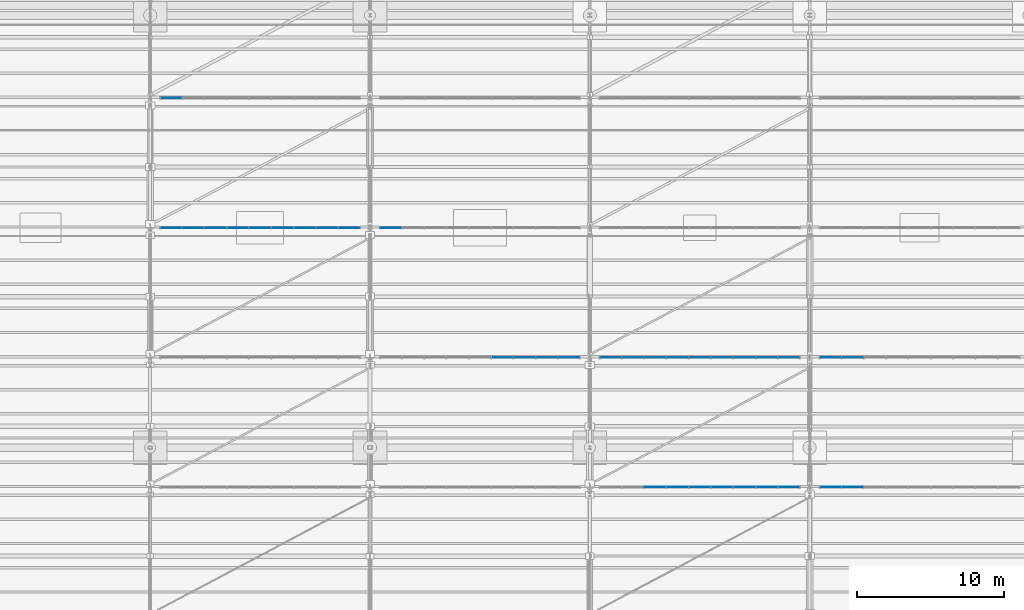
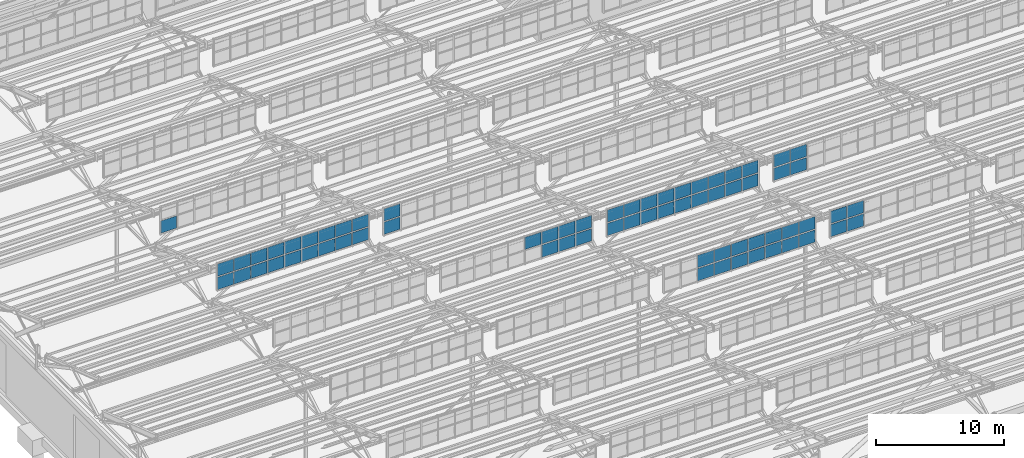
# One storey, part 167 of 285: 68 plates, 8 elements without a shape of their own.
"""IFC4 building model written with IfcOpenShell, lengths in metres."""

import ifcopenshell
import ifcopenshell.guid

model = None  # the IFC model being written
_history = None  # IfcOwnerHistory: only IFC2X3 demands one
_inside = {}  # id of a spatial element -> (the spatial element, [elements in it])
_under = {}  # id of a project, library or spatial element -> (it, [spatial elements below it])
_declared = {}  # id of a project -> (the project, [libraries it declares])
_typed = {}  # id of a type object -> (the type object, [elements of that type])
_made_of = {}  # id of a material, layer set ... -> (it, [elements and type objects made of it])


def new_model(schema):
    """Start an empty IFC model of exactly this schema.

    Asked for "IFC4X3", IfcOpenShell would pick the latest addendum, in which some entities
    have other attributes; the version numbers below select the first issue.
    IFC2X3 requires an IfcOwnerHistory on every rooted entity: one is made here for all.
    """
    global model, _history
    if schema == "IFC4X3":
        model = ifcopenshell.file(schema_version=(4, 3, 0, 0))
    else:
        model = ifcopenshell.file(schema=schema)
    _inside.clear()
    _under.clear()
    _declared.clear()
    _typed.clear()
    _made_of.clear()
    _history = None
    if model.schema == "IFC2X3":
        org = make("IfcOrganization", Name="unknown")
        user = make(
            "IfcPersonAndOrganization",
            ThePerson=make("IfcPerson", FamilyName="unknown"),
            TheOrganization=org,
        )
        app = make(
            "IfcApplication",
            ApplicationDeveloper=org,
            Version="unknown",
            ApplicationFullName="unknown",
            ApplicationIdentifier="unknown",
        )
        _history = make(
            "IfcOwnerHistory",
            OwningUser=user,
            OwningApplication=app,
            ChangeAction="ADDED",
            CreationDate=0,
        )
    return model


def make(cls, **values):
    """One entity of the class cls with the attributes given. An attribute that is None is left unset."""
    return model.create_entity(
        cls, **{name: value for name, value in values.items() if value is not None}
    )


def rooted(cls, **values):
    """An entity with a GlobalId (a new one), such as an element, a storey or a relation."""
    return make(cls, GlobalId=ifcopenshell.guid.new(), OwnerHistory=_history, **values)


def si_unit(unit_type, name, prefix=None):
    """IfcSIUnit, for example si_unit("LENGTHUNIT", "METRE", prefix="MILLI")."""
    return make("IfcSIUnit", UnitType=unit_type, Prefix=prefix, Name=name)


def assignment(units):
    """IfcUnitAssignment: the units of a project."""
    return None if units is None else make("IfcUnitAssignment", Units=units)


def point(xyz):
    """IfcCartesianPoint."""
    return None if xyz is None else make("IfcCartesianPoint", Coordinates=xyz)


def direction(xyz):
    """IfcDirection."""
    return None if xyz is None else make("IfcDirection", DirectionRatios=xyz)


def frame(location, z_axis=None, x_axis=None):
    """IfcAxis2Placement3D, a coordinate frame: its origin and axes. An axis left out is left unset."""
    return make(
        "IfcAxis2Placement3D",
        Location=point(location),
        Axis=direction(z_axis),
        RefDirection=direction(x_axis),
    )


def frame_2d(location, x_axis=None):
    """IfcAxis2Placement2D, a coordinate frame in the plane: its origin and x axis."""
    return make(
        "IfcAxis2Placement2D", Location=point(location), RefDirection=direction(x_axis)
    )


def origin():
    """The frame at (0, 0, 0) with its axes left unset."""
    return frame((0.0, 0.0, 0.0))


def origin_2d():
    """The frame at (0, 0) in the plane with its x axis left unset."""
    return frame_2d((0.0, 0.0))


def place(relative_to, where):
    """IfcLocalPlacement: puts the frame where relative to a parent placement (None: the world)."""
    return make(
        "IfcLocalPlacement", PlacementRelTo=relative_to, RelativePlacement=where
    )


def context(
    kind, dimensions, precision=None, world=None, true_north=None, identifier=None
):
    """IfcGeometricRepresentationContext, for example the 3D "Model" context."""
    return make(
        "IfcGeometricRepresentationContext",
        ContextIdentifier=identifier,
        ContextType=kind,
        CoordinateSpaceDimension=dimensions,
        Precision=precision,
        WorldCoordinateSystem=world,
        TrueNorth=true_north,
    )


def subcontext(parent, identifier, kind, view, scale=None):
    """IfcGeometricRepresentationSubContext, for example "Body" below "Model"."""
    return make(
        "IfcGeometricRepresentationSubContext",
        ContextIdentifier=identifier,
        ContextType=kind,
        ParentContext=parent,
        TargetScale=scale,
        TargetView=view,
    )


def project(units=None, contexts=None):
    """IfcProject with its units and contexts."""
    return rooted(
        "IfcProject",
        Name="project",
        RepresentationContexts=contexts,
        UnitsInContext=assignment(units),
    )


def spatial(cls, under=None, at=None, **own):
    """A site, building, storey or space (cls), placed at a placement, below another one or the project."""
    s = rooted(cls, ObjectPlacement=at, **own)
    if under is not None:
        _under.setdefault(under.id(), (under, []))[1].append(s)
    return s


def profile(cls, at=None, kind="AREA", **sizes):
    """A parametric profile (cls). Its sizes go by their IFC names, for example OverallWidth=200.0."""
    return make(cls, ProfileType=kind, Position=at, **sizes)


def rectangle(**sizes):
    """IfcRectangleProfileDef."""
    return profile("IfcRectangleProfileDef", **sizes)


def extrude(swept, where, along, depth):
    """IfcExtrudedAreaSolid: the profile swept, set in the frame where, extruded along a direction by depth."""
    return make(
        "IfcExtrudedAreaSolid",
        SweptArea=swept,
        Position=where,
        ExtrudedDirection=direction(along),
        Depth=depth,
    )


def shape(context_of_items, identifier, shape_type, items):
    """IfcShapeRepresentation: the items that make up one representation, for example the "Body"."""
    return make(
        "IfcShapeRepresentation",
        ContextOfItems=context_of_items,
        RepresentationIdentifier=identifier,
        RepresentationType=shape_type,
        Items=items,
    )


def material(Name=None, Category=None):
    """IfcMaterial."""
    return make("IfcMaterial", Name=Name, Category=Category)


def layer(
    of_material, thickness, ventilated=None, Name=None, Category=None, Priority=None
):
    """IfcMaterialLayer: one layer of a wall or slab, of a material (None: an air gap)."""
    return make(
        "IfcMaterialLayer",
        Material=of_material,
        LayerThickness=thickness,
        IsVentilated=ventilated,
        Name=Name,
        Category=Category,
        Priority=Priority,
    )


def layer_set(layers, Name=None):
    """IfcMaterialLayerSet."""
    return make("IfcMaterialLayerSet", MaterialLayers=layers, LayerSetName=Name)


def made_of(thing, what):
    """Note that an element or type object is made of a material, layer set ...; save() writes the relation."""
    if what is not None:
        _made_of.setdefault(what.id(), (what, []))[1].append(thing)
    return thing


def type_object(cls, material=None, **own):
    """A type object (cls), such as IfcWallType, which elements share."""
    return made_of(rooted(cls, **own), material)


def element(
    cls,
    number,
    at=None,
    inside=None,
    cuts=None,
    type_object=None,
    material=None,
    context=None,
    identifier="Body",
    shape_type=None,
    held_by="IfcProductDefinitionShape",
    body=None,
    shapes=None,
    **own,
):
    """One element of the class cls, such as IfcWall. Its Tag is "e" and its number.

    at: its placement. inside: the storey or other place that contains it. cuts: it is an
    opening in that element (IfcRelVoidsElement). A single representation is given by context,
    identifier, shape_type and body (its items); several are given by shapes. held_by: the class
    of the entity that holds the representations. save() writes the other relations.
    """
    e = rooted(cls, Tag="e%d" % number, ObjectPlacement=at, **own)
    if body is not None:
        shapes = [shape(context, identifier, shape_type, body)]
    if shapes is not None:
        e.Representation = make(held_by, Representations=shapes)
    if inside is not None:
        _inside.setdefault(inside.id(), (inside, []))[1].append(e)
    if cuts is not None:
        rooted(
            "IfcRelVoidsElement", RelatingBuildingElement=cuts, RelatedOpeningElement=e
        )
    if type_object is not None:
        _typed.setdefault(type_object.id(), (type_object, []))[1].append(e)
    return made_of(e, material)


def aggregate(whole, parts):
    """IfcRelAggregates: a whole, such as a stair, and the parts it consists of."""
    return rooted("IfcRelAggregates", RelatingObject=whole, RelatedObjects=parts)


def save(model, path):
    """Write the relations noted so far, then the file.

    IfcRelAggregates (storeys below a building ...), IfcRelContainedInSpatialStructure (elements
    in a storey), IfcRelDefinesByType, IfcRelAssociatesMaterial and IfcRelDeclares: one each for
    every whole, place, type object, material and project.
    """
    for whole, parts in _under.values():
        aggregate(whole, parts)
    for where, things in _inside.values():
        rooted(
            "IfcRelContainedInSpatialStructure",
            RelatedElements=things,
            RelatingStructure=where,
        )
    for kind, things in _typed.values():
        rooted("IfcRelDefinesByType", RelatedObjects=things, RelatingType=kind)
    for what, things in _made_of.values():
        rooted("IfcRelAssociatesMaterial", RelatedObjects=things, RelatingMaterial=what)
    for by, libraries in _declared.values():
        rooted("IfcRelDeclares", RelatingContext=by, RelatedDefinitions=libraries)
    model.write(path)


model = new_model("IFC4")

# Units and contexts
model_context = context("Model", 3, precision=1e-05, world=origin(), true_north=direction((0.0, 1.0)))
body_context = subcontext(model_context, "Body", "Model", "MODEL_VIEW")
ifc_project = project(units=[si_unit("LENGTHUNIT", "METRE"), si_unit("AREAUNIT", "SQUARE_METRE"), si_unit("VOLUMEUNIT", "CUBIC_METRE"), si_unit("PLANEANGLEUNIT", "RADIAN"), si_unit("MASSUNIT", "GRAM", prefix="KILO")], contexts=[model_context])

# Site, building, storey
site_placement = place(None, origin())
site = spatial("IfcSite", under=ifc_project, at=site_placement, CompositionType="ELEMENT")
building_placement = place(site_placement, origin())
building = spatial("IfcBuilding", under=site, at=building_placement, Name="Solanera Park Tramway Depot", CompositionType="ELEMENT")
storey_placement = place(building_placement, origin())
storey = spatial("IfcBuildingStorey", under=building, at=storey_placement, Name="L00", CompositionType="ELEMENT", Elevation=0.0)

# Curtain wall, plates
ifc_material_1 = material(Name="Bronze-anodised thermally broken aluminium curtain wall", Category="aluminium")
curtain_wall_type = type_object("IfcCurtainWallType", Name="Sawtooth Clerestory Monitor Curtain Wall", PredefinedType="NOTDEFINED", material=ifc_material_1)
curtain_wall_1_placement = place(storey_placement, origin())
curtain_wall_1 = element("IfcCurtainWall", 1, at=curtain_wall_1_placement, inside=storey, type_object=curtain_wall_type, Name="L00 Sawtooth Clerestory Monitor Curtain Wall #022", PredefinedType="NOTDEFINED")
ifc_material_2 = material(Name="Low-E laminated solar-control double glazing", Category="glass")
ifc_layer = layer(ifc_material_2, 0.028076171875)
ifc_layer_set = layer_set([ifc_layer], Name="Low-E laminated solar-control double glazing")
plate_type = type_object("IfcPlateType", Name="Curtain Wall Double Glazing Panel 28", PredefinedType="CURTAIN_PANEL", material=ifc_layer_set)
plate_1_placement = place(storey_placement, frame((49.45556640625, 82.300048828125, 7.862060546875), z_axis=(0.0, 0.0, 1.0), x_axis=(1.0, 0.0, 0.0)))
plate_1 = element("IfcPlate", 2, at=plate_1_placement, type_object=plate_type, Name="CW-L00-022 Glazing Panel R1.C3", PredefinedType="CURTAIN_PANEL", context=body_context, shape_type="SweptSolid", body=[
    extrude(rectangle(XDim=1.47021484375, YDim=0.028076171875, at=origin_2d()), origin(), (0.0, 0.0, 1.0), 1.16650390625),
])
plate_2_placement = place(storey_placement, frame((50.977783203125, 82.300048828125, 7.862060546875), z_axis=(0.0, 0.0, 1.0), x_axis=(1.0, 0.0, 0.0)))
plate_2 = element("IfcPlate", 3, at=plate_2_placement, type_object=plate_type, Name="CW-L00-022 Glazing Panel R1.C4", PredefinedType="CURTAIN_PANEL", context=body_context, shape_type="SweptSolid", body=[
    extrude(rectangle(XDim=1.47021484375, YDim=0.028076171875, at=origin_2d()), origin(), (0.0, 0.0, 1.0), 1.16650390625),
])
plate_3_placement = place(storey_placement, frame((52.5, 82.300048828125, 7.862060546875), z_axis=(0.0, 0.0, 1.0), x_axis=(1.0, 0.0, 0.0)))
plate_3 = element("IfcPlate", 4, at=plate_3_placement, type_object=plate_type, Name="CW-L00-022 Glazing Panel R1.C5", PredefinedType="CURTAIN_PANEL", context=body_context, shape_type="SweptSolid", body=[
    extrude(rectangle(XDim=1.47021484375, YDim=0.028076171875, at=origin_2d()), origin(), (0.0, 0.0, 1.0), 1.16650390625),
])
plate_4_placement = place(storey_placement, frame((54.022216796875, 82.300048828125, 7.862060546875), z_axis=(0.0, 0.0, 1.0), x_axis=(1.0, 0.0, 0.0)))
plate_4 = element("IfcPlate", 5, at=plate_4_placement, type_object=plate_type, Name="CW-L00-022 Glazing Panel R1.C6", PredefinedType="CURTAIN_PANEL", context=body_context, shape_type="SweptSolid", body=[
    extrude(rectangle(XDim=1.47021484375, YDim=0.028076171875, at=origin_2d()), origin(), (0.0, 0.0, 1.0), 1.16650390625),
])
plate_5_placement = place(storey_placement, frame((55.54443359375, 82.300048828125, 7.862060546875), z_axis=(0.0, 0.0, 1.0), x_axis=(1.0, 0.0, 0.0)))
plate_5 = element("IfcPlate", 6, at=plate_5_placement, type_object=plate_type, Name="CW-L00-022 Glazing Panel R1.C7", PredefinedType="CURTAIN_PANEL", context=body_context, shape_type="SweptSolid", body=[
    extrude(rectangle(XDim=1.47021484375, YDim=0.028076171875, at=origin_2d()), origin(), (0.0, 0.0, 1.0), 1.16650390625),
])
plate_6_placement = place(storey_placement, frame((57.066650390625, 82.300048828125, 7.862060546875), z_axis=(0.0, 0.0, 1.0), x_axis=(1.0, 0.0, 0.0)))
plate_6 = element("IfcPlate", 7, at=plate_6_placement, type_object=plate_type, Name="CW-L00-022 Glazing Panel R1.C8", PredefinedType="CURTAIN_PANEL", context=body_context, shape_type="SweptSolid", body=[
    extrude(rectangle(XDim=1.47021484375, YDim=0.028076171875, at=origin_2d()), origin(), (0.0, 0.0, 1.0), 1.16650390625),
])
plate_7_placement = place(storey_placement, frame((58.572509765625, 82.300048828125, 7.862060546875), z_axis=(0.0, 0.0, 1.0), x_axis=(1.0, 0.0, 0.0)))
plate_7 = element("IfcPlate", 8, at=plate_7_placement, type_object=plate_type, Name="CW-L00-022 Glazing Panel R1.C9", PredefinedType="CURTAIN_PANEL", context=body_context, shape_type="SweptSolid", body=[
    extrude(rectangle(XDim=1.437744140625, YDim=0.028076171875, at=origin_2d()), origin(), (0.0, 0.0, 1.0), 1.16650390625),
])
plate_8_placement = place(storey_placement, frame((49.45556640625, 82.300048828125, 9.132568359375), z_axis=(0.0, 0.0, 1.0), x_axis=(1.0, 0.0, 0.0)))
plate_8 = element("IfcPlate", 9, at=plate_8_placement, type_object=plate_type, Name="CW-L00-022 Glazing Panel R2.C3", PredefinedType="CURTAIN_PANEL", context=body_context, shape_type="SweptSolid", body=[
    extrude(rectangle(XDim=1.47021484375, YDim=0.028076171875, at=origin_2d()), origin(), (0.0, 0.0, 1.0), 1.16650390625),
])
plate_9_placement = place(storey_placement, frame((50.977783203125, 82.300048828125, 9.132568359375), z_axis=(0.0, 0.0, 1.0), x_axis=(1.0, 0.0, 0.0)))
plate_9 = element("IfcPlate", 10, at=plate_9_placement, type_object=plate_type, Name="CW-L00-022 Glazing Panel R2.C4", PredefinedType="CURTAIN_PANEL", context=body_context, shape_type="SweptSolid", body=[
    extrude(rectangle(XDim=1.47021484375, YDim=0.028076171875, at=origin_2d()), origin(), (0.0, 0.0, 1.0), 1.16650390625),
])
plate_10_placement = place(storey_placement, frame((52.5, 82.300048828125, 9.132568359375), z_axis=(0.0, 0.0, 1.0), x_axis=(1.0, 0.0, 0.0)))
plate_10 = element("IfcPlate", 11, at=plate_10_placement, type_object=plate_type, Name="CW-L00-022 Glazing Panel R2.C5", PredefinedType="CURTAIN_PANEL", context=body_context, shape_type="SweptSolid", body=[
    extrude(rectangle(XDim=1.47021484375, YDim=0.028076171875, at=origin_2d()), origin(), (0.0, 0.0, 1.0), 1.16650390625),
])
plate_11_placement = place(storey_placement, frame((54.022216796875, 82.300048828125, 9.132568359375), z_axis=(0.0, 0.0, 1.0), x_axis=(1.0, 0.0, 0.0)))
plate_11 = element("IfcPlate", 12, at=plate_11_placement, type_object=plate_type, Name="CW-L00-022 Glazing Panel R2.C6", PredefinedType="CURTAIN_PANEL", context=body_context, shape_type="SweptSolid", body=[
    extrude(rectangle(XDim=1.47021484375, YDim=0.028076171875, at=origin_2d()), origin(), (0.0, 0.0, 1.0), 1.16650390625),
])
plate_12_placement = place(storey_placement, frame((55.54443359375, 82.300048828125, 9.132568359375), z_axis=(0.0, 0.0, 1.0), x_axis=(1.0, 0.0, 0.0)))
plate_12 = element("IfcPlate", 13, at=plate_12_placement, type_object=plate_type, Name="CW-L00-022 Glazing Panel R2.C7", PredefinedType="CURTAIN_PANEL", context=body_context, shape_type="SweptSolid", body=[
    extrude(rectangle(XDim=1.47021484375, YDim=0.028076171875, at=origin_2d()), origin(), (0.0, 0.0, 1.0), 1.16650390625),
])
plate_13_placement = place(storey_placement, frame((57.066650390625, 82.300048828125, 9.132568359375), z_axis=(0.0, 0.0, 1.0), x_axis=(1.0, 0.0, 0.0)))
plate_13 = element("IfcPlate", 14, at=plate_13_placement, type_object=plate_type, Name="CW-L00-022 Glazing Panel R2.C8", PredefinedType="CURTAIN_PANEL", context=body_context, shape_type="SweptSolid", body=[
    extrude(rectangle(XDim=1.47021484375, YDim=0.028076171875, at=origin_2d()), origin(), (0.0, 0.0, 1.0), 1.16650390625),
])
plate_14_placement = place(storey_placement, frame((58.572509765625, 82.300048828125, 9.132568359375), z_axis=(0.0, 0.0, 1.0), x_axis=(1.0, 0.0, 0.0)))
plate_14 = element("IfcPlate", 15, at=plate_14_placement, type_object=plate_type, Name="CW-L00-022 Glazing Panel R2.C9", PredefinedType="CURTAIN_PANEL", context=body_context, shape_type="SweptSolid", body=[
    extrude(rectangle(XDim=1.437744140625, YDim=0.028076171875, at=origin_2d()), origin(), (0.0, 0.0, 1.0), 1.16650390625),
])
aggregate(curtain_wall_1, [plate_1, plate_2, plate_3, plate_4, plate_5, plate_6, plate_7, plate_8, plate_9, plate_10, plate_11, plate_12, plate_13, plate_14])

curtain_wall_2_placement = place(storey_placement, origin())
curtain_wall_2 = element("IfcCurtainWall", 16, at=curtain_wall_2_placement, inside=storey, type_object=curtain_wall_type, Name="L00 Sawtooth Clerestory Monitor Curtain Wall #023", PredefinedType="NOTDEFINED")
plate_15_placement = place(storey_placement, frame((61.427490234375, 82.300048828125, 7.862060546875), z_axis=(0.0, 0.0, 1.0), x_axis=(1.0, 0.0, 0.0)))
plate_15 = element("IfcPlate", 17, at=plate_15_placement, type_object=plate_type, Name="CW-L00-023 Glazing Panel R1.C1", PredefinedType="CURTAIN_PANEL", context=body_context, shape_type="SweptSolid", body=[
    extrude(rectangle(XDim=1.437744140625, YDim=0.028076171875, at=origin_2d()), origin(), (0.0, 0.0, 1.0), 1.16650390625),
])
plate_16_placement = place(storey_placement, frame((62.933349609375, 82.300048828125, 7.862060546875), z_axis=(0.0, 0.0, 1.0), x_axis=(1.0, 0.0, 0.0)))
plate_16 = element("IfcPlate", 18, at=plate_16_placement, type_object=plate_type, Name="CW-L00-023 Glazing Panel R1.C2", PredefinedType="CURTAIN_PANEL", context=body_context, shape_type="SweptSolid", body=[
    extrude(rectangle(XDim=1.47021484375, YDim=0.028076171875, at=origin_2d()), origin(), (0.0, 0.0, 1.0), 1.16650390625),
])
plate_17_placement = place(storey_placement, frame((61.427490234375, 82.300048828125, 9.132568359375), z_axis=(0.0, 0.0, 1.0), x_axis=(1.0, 0.0, 0.0)))
plate_17 = element("IfcPlate", 19, at=plate_17_placement, type_object=plate_type, Name="CW-L00-023 Glazing Panel R2.C1", PredefinedType="CURTAIN_PANEL", context=body_context, shape_type="SweptSolid", body=[
    extrude(rectangle(XDim=1.437744140625, YDim=0.028076171875, at=origin_2d()), origin(), (0.0, 0.0, 1.0), 1.16650390625),
])
plate_18_placement = place(storey_placement, frame((62.933349609375, 82.300048828125, 9.132568359375), z_axis=(0.0, 0.0, 1.0), x_axis=(1.0, 0.0, 0.0)))
plate_18 = element("IfcPlate", 20, at=plate_18_placement, type_object=plate_type, Name="CW-L00-023 Glazing Panel R2.C2", PredefinedType="CURTAIN_PANEL", context=body_context, shape_type="SweptSolid", body=[
    extrude(rectangle(XDim=1.47021484375, YDim=0.028076171875, at=origin_2d()), origin(), (0.0, 0.0, 1.0), 1.16650390625),
])
aggregate(curtain_wall_2, [plate_15, plate_16, plate_17, plate_18])

curtain_wall_3_placement = place(storey_placement, origin())
curtain_wall_3 = element("IfcCurtainWall", 21, at=curtain_wall_3_placement, inside=storey, type_object=curtain_wall_type, Name="L00 Sawtooth Clerestory Monitor Curtain Wall #029", PredefinedType="NOTDEFINED")
plate_19_placement = place(storey_placement, frame((40.54443359375, 91.14990234375, 7.862060546875), z_axis=(0.0, 0.0, 1.0), x_axis=(1.0, 0.0, 0.0)))
plate_19 = element("IfcPlate", 22, at=plate_19_placement, type_object=plate_type, Name="CW-L00-029 Glazing Panel R1.C7", PredefinedType="CURTAIN_PANEL", context=body_context, shape_type="SweptSolid", body=[
    extrude(rectangle(XDim=1.47021484375, YDim=0.028076171875, at=origin_2d()), origin(), (0.0, 0.0, 1.0), 1.16650390625),
])
plate_20_placement = place(storey_placement, frame((42.066650390625, 91.14990234375, 7.862060546875), z_axis=(0.0, 0.0, 1.0), x_axis=(1.0, 0.0, 0.0)))
plate_20 = element("IfcPlate", 23, at=plate_20_placement, type_object=plate_type, Name="CW-L00-029 Glazing Panel R1.C8", PredefinedType="CURTAIN_PANEL", context=body_context, shape_type="SweptSolid", body=[
    extrude(rectangle(XDim=1.47021484375, YDim=0.028076171875, at=origin_2d()), origin(), (0.0, 0.0, 1.0), 1.16650390625),
])
plate_21_placement = place(storey_placement, frame((43.572509765625, 91.14990234375, 7.862060546875), z_axis=(0.0, 0.0, 1.0), x_axis=(1.0, 0.0, 0.0)))
plate_21 = element("IfcPlate", 24, at=plate_21_placement, type_object=plate_type, Name="CW-L00-029 Glazing Panel R1.C9", PredefinedType="CURTAIN_PANEL", context=body_context, shape_type="SweptSolid", body=[
    extrude(rectangle(XDim=1.437744140625, YDim=0.028076171875, at=origin_2d()), origin(), (0.0, 0.0, 1.0), 1.16650390625),
])
plate_22_placement = place(storey_placement, frame((39.022216796875, 91.14990234375, 9.132568359375), z_axis=(0.0, 0.0, 1.0), x_axis=(1.0, 0.0, 0.0)))
plate_22 = element("IfcPlate", 25, at=plate_22_placement, type_object=plate_type, Name="CW-L00-029 Glazing Panel R2.C6", PredefinedType="CURTAIN_PANEL", context=body_context, shape_type="SweptSolid", body=[
    extrude(rectangle(XDim=1.47021484375, YDim=0.028076171875, at=origin_2d()), origin(), (0.0, 0.0, 1.0), 1.16650390625),
])
plate_23_placement = place(storey_placement, frame((40.54443359375, 91.14990234375, 9.132568359375), z_axis=(0.0, 0.0, 1.0), x_axis=(1.0, 0.0, 0.0)))
plate_23 = element("IfcPlate", 26, at=plate_23_placement, type_object=plate_type, Name="CW-L00-029 Glazing Panel R2.C7", PredefinedType="CURTAIN_PANEL", context=body_context, shape_type="SweptSolid", body=[
    extrude(rectangle(XDim=1.47021484375, YDim=0.028076171875, at=origin_2d()), origin(), (0.0, 0.0, 1.0), 1.16650390625),
])
plate_24_placement = place(storey_placement, frame((42.066650390625, 91.14990234375, 9.132568359375), z_axis=(0.0, 0.0, 1.0), x_axis=(1.0, 0.0, 0.0)))
plate_24 = element("IfcPlate", 27, at=plate_24_placement, type_object=plate_type, Name="CW-L00-029 Glazing Panel R2.C8", PredefinedType="CURTAIN_PANEL", context=body_context, shape_type="SweptSolid", body=[
    extrude(rectangle(XDim=1.47021484375, YDim=0.028076171875, at=origin_2d()), origin(), (0.0, 0.0, 1.0), 1.16650390625),
])
plate_25_placement = place(storey_placement, frame((43.572509765625, 91.14990234375, 9.132568359375), z_axis=(0.0, 0.0, 1.0), x_axis=(1.0, 0.0, 0.0)))
plate_25 = element("IfcPlate", 28, at=plate_25_placement, type_object=plate_type, Name="CW-L00-029 Glazing Panel R2.C9", PredefinedType="CURTAIN_PANEL", context=body_context, shape_type="SweptSolid", body=[
    extrude(rectangle(XDim=1.437744140625, YDim=0.028076171875, at=origin_2d()), origin(), (0.0, 0.0, 1.0), 1.16650390625),
])
aggregate(curtain_wall_3, [plate_19, plate_20, plate_21, plate_22, plate_23, plate_24, plate_25])

curtain_wall_4_placement = place(storey_placement, origin())
curtain_wall_4 = element("IfcCurtainWall", 29, at=curtain_wall_4_placement, inside=storey, type_object=curtain_wall_type, Name="L00 Sawtooth Clerestory Monitor Curtain Wall #030", PredefinedType="NOTDEFINED")
plate_26_placement = place(storey_placement, frame((46.427490234375, 91.14990234375, 7.862060546875), z_axis=(0.0, 0.0, 1.0), x_axis=(1.0, 0.0, 0.0)))
plate_26 = element("IfcPlate", 30, at=plate_26_placement, type_object=plate_type, Name="CW-L00-030 Glazing Panel R1.C1", PredefinedType="CURTAIN_PANEL", context=body_context, shape_type="SweptSolid", body=[
    extrude(rectangle(XDim=1.437744140625, YDim=0.028076171875, at=origin_2d()), origin(), (0.0, 0.0, 1.0), 1.16650390625),
])
plate_27_placement = place(storey_placement, frame((47.933349609375, 91.14990234375, 7.862060546875), z_axis=(0.0, 0.0, 1.0), x_axis=(1.0, 0.0, 0.0)))
plate_27 = element("IfcPlate", 31, at=plate_27_placement, type_object=plate_type, Name="CW-L00-030 Glazing Panel R1.C2", PredefinedType="CURTAIN_PANEL", context=body_context, shape_type="SweptSolid", body=[
    extrude(rectangle(XDim=1.47021484375, YDim=0.028076171875, at=origin_2d()), origin(), (0.0, 0.0, 1.0), 1.16650390625),
])
plate_28_placement = place(storey_placement, frame((49.45556640625, 91.14990234375, 7.862060546875), z_axis=(0.0, 0.0, 1.0), x_axis=(1.0, 0.0, 0.0)))
plate_28 = element("IfcPlate", 32, at=plate_28_placement, type_object=plate_type, Name="CW-L00-030 Glazing Panel R1.C3", PredefinedType="CURTAIN_PANEL", context=body_context, shape_type="SweptSolid", body=[
    extrude(rectangle(XDim=1.47021484375, YDim=0.028076171875, at=origin_2d()), origin(), (0.0, 0.0, 1.0), 1.16650390625),
])
plate_29_placement = place(storey_placement, frame((50.977783203125, 91.14990234375, 7.862060546875), z_axis=(0.0, 0.0, 1.0), x_axis=(1.0, 0.0, 0.0)))
plate_29 = element("IfcPlate", 33, at=plate_29_placement, type_object=plate_type, Name="CW-L00-030 Glazing Panel R1.C4", PredefinedType="CURTAIN_PANEL", context=body_context, shape_type="SweptSolid", body=[
    extrude(rectangle(XDim=1.47021484375, YDim=0.028076171875, at=origin_2d()), origin(), (0.0, 0.0, 1.0), 1.16650390625),
])
plate_30_placement = place(storey_placement, frame((52.5, 91.14990234375, 7.862060546875), z_axis=(0.0, 0.0, 1.0), x_axis=(1.0, 0.0, 0.0)))
plate_30 = element("IfcPlate", 34, at=plate_30_placement, type_object=plate_type, Name="CW-L00-030 Glazing Panel R1.C5", PredefinedType="CURTAIN_PANEL", context=body_context, shape_type="SweptSolid", body=[
    extrude(rectangle(XDim=1.47021484375, YDim=0.028076171875, at=origin_2d()), origin(), (0.0, 0.0, 1.0), 1.16650390625),
])
plate_31_placement = place(storey_placement, frame((54.022216796875, 91.14990234375, 7.862060546875), z_axis=(0.0, 0.0, 1.0), x_axis=(1.0, 0.0, 0.0)))
plate_31 = element("IfcPlate", 35, at=plate_31_placement, type_object=plate_type, Name="CW-L00-030 Glazing Panel R1.C6", PredefinedType="CURTAIN_PANEL", context=body_context, shape_type="SweptSolid", body=[
    extrude(rectangle(XDim=1.47021484375, YDim=0.028076171875, at=origin_2d()), origin(), (0.0, 0.0, 1.0), 1.16650390625),
])
plate_32_placement = place(storey_placement, frame((55.54443359375, 91.14990234375, 7.862060546875), z_axis=(0.0, 0.0, 1.0), x_axis=(1.0, 0.0, 0.0)))
plate_32 = element("IfcPlate", 36, at=plate_32_placement, type_object=plate_type, Name="CW-L00-030 Glazing Panel R1.C7", PredefinedType="CURTAIN_PANEL", context=body_context, shape_type="SweptSolid", body=[
    extrude(rectangle(XDim=1.47021484375, YDim=0.028076171875, at=origin_2d()), origin(), (0.0, 0.0, 1.0), 1.16650390625),
])
plate_33_placement = place(storey_placement, frame((57.066650390625, 91.14990234375, 7.862060546875), z_axis=(0.0, 0.0, 1.0), x_axis=(1.0, 0.0, 0.0)))
plate_33 = element("IfcPlate", 37, at=plate_33_placement, type_object=plate_type, Name="CW-L00-030 Glazing Panel R1.C8", PredefinedType="CURTAIN_PANEL", context=body_context, shape_type="SweptSolid", body=[
    extrude(rectangle(XDim=1.47021484375, YDim=0.028076171875, at=origin_2d()), origin(), (0.0, 0.0, 1.0), 1.16650390625),
])
plate_34_placement = place(storey_placement, frame((58.572509765625, 91.14990234375, 7.862060546875), z_axis=(0.0, 0.0, 1.0), x_axis=(1.0, 0.0, 0.0)))
plate_34 = element("IfcPlate", 38, at=plate_34_placement, type_object=plate_type, Name="CW-L00-030 Glazing Panel R1.C9", PredefinedType="CURTAIN_PANEL", context=body_context, shape_type="SweptSolid", body=[
    extrude(rectangle(XDim=1.437744140625, YDim=0.028076171875, at=origin_2d()), origin(), (0.0, 0.0, 1.0), 1.16650390625),
])
plate_35_placement = place(storey_placement, frame((46.427490234375, 91.14990234375, 9.132568359375), z_axis=(0.0, 0.0, 1.0), x_axis=(1.0, 0.0, 0.0)))
plate_35 = element("IfcPlate", 39, at=plate_35_placement, type_object=plate_type, Name="CW-L00-030 Glazing Panel R2.C1", PredefinedType="CURTAIN_PANEL", context=body_context, shape_type="SweptSolid", body=[
    extrude(rectangle(XDim=1.437744140625, YDim=0.028076171875, at=origin_2d()), origin(), (0.0, 0.0, 1.0), 1.16650390625),
])
plate_36_placement = place(storey_placement, frame((47.933349609375, 91.14990234375, 9.132568359375), z_axis=(0.0, 0.0, 1.0), x_axis=(1.0, 0.0, 0.0)))
plate_36 = element("IfcPlate", 40, at=plate_36_placement, type_object=plate_type, Name="CW-L00-030 Glazing Panel R2.C2", PredefinedType="CURTAIN_PANEL", context=body_context, shape_type="SweptSolid", body=[
    extrude(rectangle(XDim=1.47021484375, YDim=0.028076171875, at=origin_2d()), origin(), (0.0, 0.0, 1.0), 1.16650390625),
])
plate_37_placement = place(storey_placement, frame((49.45556640625, 91.14990234375, 9.132568359375), z_axis=(0.0, 0.0, 1.0), x_axis=(1.0, 0.0, 0.0)))
plate_37 = element("IfcPlate", 41, at=plate_37_placement, type_object=plate_type, Name="CW-L00-030 Glazing Panel R2.C3", PredefinedType="CURTAIN_PANEL", context=body_context, shape_type="SweptSolid", body=[
    extrude(rectangle(XDim=1.47021484375, YDim=0.028076171875, at=origin_2d()), origin(), (0.0, 0.0, 1.0), 1.16650390625),
])
plate_38_placement = place(storey_placement, frame((50.977783203125, 91.14990234375, 9.132568359375), z_axis=(0.0, 0.0, 1.0), x_axis=(1.0, 0.0, 0.0)))
plate_38 = element("IfcPlate", 42, at=plate_38_placement, type_object=plate_type, Name="CW-L00-030 Glazing Panel R2.C4", PredefinedType="CURTAIN_PANEL", context=body_context, shape_type="SweptSolid", body=[
    extrude(rectangle(XDim=1.47021484375, YDim=0.028076171875, at=origin_2d()), origin(), (0.0, 0.0, 1.0), 1.16650390625),
])
plate_39_placement = place(storey_placement, frame((52.5, 91.14990234375, 9.132568359375), z_axis=(0.0, 0.0, 1.0), x_axis=(1.0, 0.0, 0.0)))
plate_39 = element("IfcPlate", 43, at=plate_39_placement, type_object=plate_type, Name="CW-L00-030 Glazing Panel R2.C5", PredefinedType="CURTAIN_PANEL", context=body_context, shape_type="SweptSolid", body=[
    extrude(rectangle(XDim=1.47021484375, YDim=0.028076171875, at=origin_2d()), origin(), (0.0, 0.0, 1.0), 1.16650390625),
])
plate_40_placement = place(storey_placement, frame((54.022216796875, 91.14990234375, 9.132568359375), z_axis=(0.0, 0.0, 1.0), x_axis=(1.0, 0.0, 0.0)))
plate_40 = element("IfcPlate", 44, at=plate_40_placement, type_object=plate_type, Name="CW-L00-030 Glazing Panel R2.C6", PredefinedType="CURTAIN_PANEL", context=body_context, shape_type="SweptSolid", body=[
    extrude(rectangle(XDim=1.47021484375, YDim=0.028076171875, at=origin_2d()), origin(), (0.0, 0.0, 1.0), 1.16650390625),
])
plate_41_placement = place(storey_placement, frame((55.54443359375, 91.14990234375, 9.132568359375), z_axis=(0.0, 0.0, 1.0), x_axis=(1.0, 0.0, 0.0)))
plate_41 = element("IfcPlate", 45, at=plate_41_placement, type_object=plate_type, Name="CW-L00-030 Glazing Panel R2.C7", PredefinedType="CURTAIN_PANEL", context=body_context, shape_type="SweptSolid", body=[
    extrude(rectangle(XDim=1.47021484375, YDim=0.028076171875, at=origin_2d()), origin(), (0.0, 0.0, 1.0), 1.16650390625),
])
plate_42_placement = place(storey_placement, frame((57.066650390625, 91.14990234375, 9.132568359375), z_axis=(0.0, 0.0, 1.0), x_axis=(1.0, 0.0, 0.0)))
plate_42 = element("IfcPlate", 46, at=plate_42_placement, type_object=plate_type, Name="CW-L00-030 Glazing Panel R2.C8", PredefinedType="CURTAIN_PANEL", context=body_context, shape_type="SweptSolid", body=[
    extrude(rectangle(XDim=1.47021484375, YDim=0.028076171875, at=origin_2d()), origin(), (0.0, 0.0, 1.0), 1.16650390625),
])
plate_43_placement = place(storey_placement, frame((58.572509765625, 91.14990234375, 9.132568359375), z_axis=(0.0, 0.0, 1.0), x_axis=(1.0, 0.0, 0.0)))
plate_43 = element("IfcPlate", 47, at=plate_43_placement, type_object=plate_type, Name="CW-L00-030 Glazing Panel R2.C9", PredefinedType="CURTAIN_PANEL", context=body_context, shape_type="SweptSolid", body=[
    extrude(rectangle(XDim=1.437744140625, YDim=0.028076171875, at=origin_2d()), origin(), (0.0, 0.0, 1.0), 1.16650390625),
])
aggregate(curtain_wall_4, [plate_26, plate_27, plate_28, plate_29, plate_30, plate_31, plate_32, plate_33, plate_34, plate_35, plate_36, plate_37, plate_38, plate_39, plate_40, plate_41, plate_42, plate_43])

curtain_wall_5_placement = place(storey_placement, origin())
curtain_wall_5 = element("IfcCurtainWall", 48, at=curtain_wall_5_placement, inside=storey, type_object=curtain_wall_type, Name="L00 Sawtooth Clerestory Monitor Curtain Wall #031", PredefinedType="NOTDEFINED")
plate_44_placement = place(storey_placement, frame((61.427490234375, 91.14990234375, 7.862060546875), z_axis=(0.0, 0.0, 1.0), x_axis=(1.0, 0.0, 0.0)))
plate_44 = element("IfcPlate", 49, at=plate_44_placement, type_object=plate_type, Name="CW-L00-031 Glazing Panel R1.C1", PredefinedType="CURTAIN_PANEL", context=body_context, shape_type="SweptSolid", body=[
    extrude(rectangle(XDim=1.437744140625, YDim=0.028076171875, at=origin_2d()), origin(), (0.0, 0.0, 1.0), 1.16650390625),
])
plate_45_placement = place(storey_placement, frame((62.933349609375, 91.14990234375, 7.862060546875), z_axis=(0.0, 0.0, 1.0), x_axis=(1.0, 0.0, 0.0)))
plate_45 = element("IfcPlate", 50, at=plate_45_placement, type_object=plate_type, Name="CW-L00-031 Glazing Panel R1.C2", PredefinedType="CURTAIN_PANEL", context=body_context, shape_type="SweptSolid", body=[
    extrude(rectangle(XDim=1.47021484375, YDim=0.028076171875, at=origin_2d()), origin(), (0.0, 0.0, 1.0), 1.16650390625),
])
plate_46_placement = place(storey_placement, frame((61.427490234375, 91.14990234375, 9.132568359375), z_axis=(0.0, 0.0, 1.0), x_axis=(1.0, 0.0, 0.0)))
plate_46 = element("IfcPlate", 51, at=plate_46_placement, type_object=plate_type, Name="CW-L00-031 Glazing Panel R2.C1", PredefinedType="CURTAIN_PANEL", context=body_context, shape_type="SweptSolid", body=[
    extrude(rectangle(XDim=1.437744140625, YDim=0.028076171875, at=origin_2d()), origin(), (0.0, 0.0, 1.0), 1.16650390625),
])
plate_47_placement = place(storey_placement, frame((62.933349609375, 91.14990234375, 9.132568359375), z_axis=(0.0, 0.0, 1.0), x_axis=(1.0, 0.0, 0.0)))
plate_47 = element("IfcPlate", 52, at=plate_47_placement, type_object=plate_type, Name="CW-L00-031 Glazing Panel R2.C2", PredefinedType="CURTAIN_PANEL", context=body_context, shape_type="SweptSolid", body=[
    extrude(rectangle(XDim=1.47021484375, YDim=0.028076171875, at=origin_2d()), origin(), (0.0, 0.0, 1.0), 1.16650390625),
])
aggregate(curtain_wall_5, [plate_44, plate_45, plate_46, plate_47])

curtain_wall_6_placement = place(storey_placement, origin())
curtain_wall_6 = element("IfcCurtainWall", 53, at=curtain_wall_6_placement, inside=storey, type_object=curtain_wall_type, Name="L00 Sawtooth Clerestory Monitor Curtain Wall #036", PredefinedType="NOTDEFINED")
plate_48_placement = place(storey_placement, frame((16.427490234375, 100.0, 7.862060546875), z_axis=(0.0, 0.0, 1.0), x_axis=(1.0, 0.0, 0.0)))
plate_48 = element("IfcPlate", 54, at=plate_48_placement, type_object=plate_type, Name="CW-L00-036 Glazing Panel R1.C1", PredefinedType="CURTAIN_PANEL", context=body_context, shape_type="SweptSolid", body=[
    extrude(rectangle(XDim=1.437744140625, YDim=0.028076171875, at=origin_2d()), origin(), (0.0, 0.0, 1.0), 1.16650390625),
])
plate_49_placement = place(storey_placement, frame((17.933349609375, 100.0, 7.862060546875), z_axis=(0.0, 0.0, 1.0), x_axis=(1.0, 0.0, 0.0)))
plate_49 = element("IfcPlate", 55, at=plate_49_placement, type_object=plate_type, Name="CW-L00-036 Glazing Panel R1.C2", PredefinedType="CURTAIN_PANEL", context=body_context, shape_type="SweptSolid", body=[
    extrude(rectangle(XDim=1.47021484375, YDim=0.028076171875, at=origin_2d()), origin(), (0.0, 0.0, 1.0), 1.16650390625),
])
plate_50_placement = place(storey_placement, frame((19.45556640625, 100.0, 7.862060546875), z_axis=(0.0, 0.0, 1.0), x_axis=(1.0, 0.0, 0.0)))
plate_50 = element("IfcPlate", 56, at=plate_50_placement, type_object=plate_type, Name="CW-L00-036 Glazing Panel R1.C3", PredefinedType="CURTAIN_PANEL", context=body_context, shape_type="SweptSolid", body=[
    extrude(rectangle(XDim=1.47021484375, YDim=0.028076171875, at=origin_2d()), origin(), (0.0, 0.0, 1.0), 1.16650390625),
])
plate_51_placement = place(storey_placement, frame((20.977783203125, 100.0, 7.862060546875), z_axis=(0.0, 0.0, 1.0), x_axis=(1.0, 0.0, 0.0)))
plate_51 = element("IfcPlate", 57, at=plate_51_placement, type_object=plate_type, Name="CW-L00-036 Glazing Panel R1.C4", PredefinedType="CURTAIN_PANEL", context=body_context, shape_type="SweptSolid", body=[
    extrude(rectangle(XDim=1.47021484375, YDim=0.028076171875, at=origin_2d()), origin(), (0.0, 0.0, 1.0), 1.16650390625),
])
plate_52_placement = place(storey_placement, frame((22.5, 100.0, 7.862060546875), z_axis=(0.0, 0.0, 1.0), x_axis=(1.0, 0.0, 0.0)))
plate_52 = element("IfcPlate", 58, at=plate_52_placement, type_object=plate_type, Name="CW-L00-036 Glazing Panel R1.C5", PredefinedType="CURTAIN_PANEL", context=body_context, shape_type="SweptSolid", body=[
    extrude(rectangle(XDim=1.47021484375, YDim=0.028076171875, at=origin_2d()), origin(), (0.0, 0.0, 1.0), 1.16650390625),
])
plate_53_placement = place(storey_placement, frame((24.022216796875, 100.0, 7.862060546875), z_axis=(0.0, 0.0, 1.0), x_axis=(1.0, 0.0, 0.0)))
plate_53 = element("IfcPlate", 59, at=plate_53_placement, type_object=plate_type, Name="CW-L00-036 Glazing Panel R1.C6", PredefinedType="CURTAIN_PANEL", context=body_context, shape_type="SweptSolid", body=[
    extrude(rectangle(XDim=1.47021484375, YDim=0.028076171875, at=origin_2d()), origin(), (0.0, 0.0, 1.0), 1.16650390625),
])
plate_54_placement = place(storey_placement, frame((25.54443359375, 100.0, 7.862060546875), z_axis=(0.0, 0.0, 1.0), x_axis=(1.0, 0.0, 0.0)))
plate_54 = element("IfcPlate", 60, at=plate_54_placement, type_object=plate_type, Name="CW-L00-036 Glazing Panel R1.C7", PredefinedType="CURTAIN_PANEL", context=body_context, shape_type="SweptSolid", body=[
    extrude(rectangle(XDim=1.47021484375, YDim=0.028076171875, at=origin_2d()), origin(), (0.0, 0.0, 1.0), 1.16650390625),
])
plate_55_placement = place(storey_placement, frame((27.066650390625, 100.0, 7.862060546875), z_axis=(0.0, 0.0, 1.0), x_axis=(1.0, 0.0, 0.0)))
plate_55 = element("IfcPlate", 61, at=plate_55_placement, type_object=plate_type, Name="CW-L00-036 Glazing Panel R1.C8", PredefinedType="CURTAIN_PANEL", context=body_context, shape_type="SweptSolid", body=[
    extrude(rectangle(XDim=1.47021484375, YDim=0.028076171875, at=origin_2d()), origin(), (0.0, 0.0, 1.0), 1.16650390625),
])
plate_56_placement = place(storey_placement, frame((28.572509765625, 100.0, 7.862060546875), z_axis=(0.0, 0.0, 1.0), x_axis=(1.0, 0.0, 0.0)))
plate_56 = element("IfcPlate", 62, at=plate_56_placement, type_object=plate_type, Name="CW-L00-036 Glazing Panel R1.C9", PredefinedType="CURTAIN_PANEL", context=body_context, shape_type="SweptSolid", body=[
    extrude(rectangle(XDim=1.437744140625, YDim=0.028076171875, at=origin_2d()), origin(), (0.0, 0.0, 1.0), 1.16650390625),
])
plate_57_placement = place(storey_placement, frame((16.427490234375, 100.0, 9.132568359375), z_axis=(0.0, 0.0, 1.0), x_axis=(1.0, 0.0, 0.0)))
plate_57 = element("IfcPlate", 63, at=plate_57_placement, type_object=plate_type, Name="CW-L00-036 Glazing Panel R2.C1", PredefinedType="CURTAIN_PANEL", context=body_context, shape_type="SweptSolid", body=[
    extrude(rectangle(XDim=1.437744140625, YDim=0.028076171875, at=origin_2d()), origin(), (0.0, 0.0, 1.0), 1.16650390625),
])
plate_58_placement = place(storey_placement, frame((17.933349609375, 100.0, 9.132568359375), z_axis=(0.0, 0.0, 1.0), x_axis=(1.0, 0.0, 0.0)))
plate_58 = element("IfcPlate", 64, at=plate_58_placement, type_object=plate_type, Name="CW-L00-036 Glazing Panel R2.C2", PredefinedType="CURTAIN_PANEL", context=body_context, shape_type="SweptSolid", body=[
    extrude(rectangle(XDim=1.47021484375, YDim=0.028076171875, at=origin_2d()), origin(), (0.0, 0.0, 1.0), 1.16650390625),
])
plate_59_placement = place(storey_placement, frame((19.45556640625, 100.0, 9.132568359375), z_axis=(0.0, 0.0, 1.0), x_axis=(1.0, 0.0, 0.0)))
plate_59 = element("IfcPlate", 65, at=plate_59_placement, type_object=plate_type, Name="CW-L00-036 Glazing Panel R2.C3", PredefinedType="CURTAIN_PANEL", context=body_context, shape_type="SweptSolid", body=[
    extrude(rectangle(XDim=1.47021484375, YDim=0.028076171875, at=origin_2d()), origin(), (0.0, 0.0, 1.0), 1.16650390625),
])
plate_60_placement = place(storey_placement, frame((20.977783203125, 100.0, 9.132568359375), z_axis=(0.0, 0.0, 1.0), x_axis=(1.0, 0.0, 0.0)))
plate_60 = element("IfcPlate", 66, at=plate_60_placement, type_object=plate_type, Name="CW-L00-036 Glazing Panel R2.C4", PredefinedType="CURTAIN_PANEL", context=body_context, shape_type="SweptSolid", body=[
    extrude(rectangle(XDim=1.47021484375, YDim=0.028076171875, at=origin_2d()), origin(), (0.0, 0.0, 1.0), 1.16650390625),
])
plate_61_placement = place(storey_placement, frame((22.5, 100.0, 9.132568359375), z_axis=(0.0, 0.0, 1.0), x_axis=(1.0, 0.0, 0.0)))
plate_61 = element("IfcPlate", 67, at=plate_61_placement, type_object=plate_type, Name="CW-L00-036 Glazing Panel R2.C5", PredefinedType="CURTAIN_PANEL", context=body_context, shape_type="SweptSolid", body=[
    extrude(rectangle(XDim=1.47021484375, YDim=0.028076171875, at=origin_2d()), origin(), (0.0, 0.0, 1.0), 1.16650390625),
])
plate_62_placement = place(storey_placement, frame((24.022216796875, 100.0, 9.132568359375), z_axis=(0.0, 0.0, 1.0), x_axis=(1.0, 0.0, 0.0)))
plate_62 = element("IfcPlate", 68, at=plate_62_placement, type_object=plate_type, Name="CW-L00-036 Glazing Panel R2.C6", PredefinedType="CURTAIN_PANEL", context=body_context, shape_type="SweptSolid", body=[
    extrude(rectangle(XDim=1.47021484375, YDim=0.028076171875, at=origin_2d()), origin(), (0.0, 0.0, 1.0), 1.16650390625),
])
plate_63_placement = place(storey_placement, frame((25.54443359375, 100.0, 9.132568359375), z_axis=(0.0, 0.0, 1.0), x_axis=(1.0, 0.0, 0.0)))
plate_63 = element("IfcPlate", 69, at=plate_63_placement, type_object=plate_type, Name="CW-L00-036 Glazing Panel R2.C7", PredefinedType="CURTAIN_PANEL", context=body_context, shape_type="SweptSolid", body=[
    extrude(rectangle(XDim=1.47021484375, YDim=0.028076171875, at=origin_2d()), origin(), (0.0, 0.0, 1.0), 1.16650390625),
])
plate_64_placement = place(storey_placement, frame((27.066650390625, 100.0, 9.132568359375), z_axis=(0.0, 0.0, 1.0), x_axis=(1.0, 0.0, 0.0)))
plate_64 = element("IfcPlate", 70, at=plate_64_placement, type_object=plate_type, Name="CW-L00-036 Glazing Panel R2.C8", PredefinedType="CURTAIN_PANEL", context=body_context, shape_type="SweptSolid", body=[
    extrude(rectangle(XDim=1.47021484375, YDim=0.028076171875, at=origin_2d()), origin(), (0.0, 0.0, 1.0), 1.16650390625),
])
plate_65_placement = place(storey_placement, frame((28.572509765625, 100.0, 9.132568359375), z_axis=(0.0, 0.0, 1.0), x_axis=(1.0, 0.0, 0.0)))
plate_65 = element("IfcPlate", 71, at=plate_65_placement, type_object=plate_type, Name="CW-L00-036 Glazing Panel R2.C9", PredefinedType="CURTAIN_PANEL", context=body_context, shape_type="SweptSolid", body=[
    extrude(rectangle(XDim=1.437744140625, YDim=0.028076171875, at=origin_2d()), origin(), (0.0, 0.0, 1.0), 1.16650390625),
])
aggregate(curtain_wall_6, [plate_48, plate_49, plate_50, plate_51, plate_52, plate_53, plate_54, plate_55, plate_56, plate_57, plate_58, plate_59, plate_60, plate_61, plate_62, plate_63, plate_64, plate_65])

curtain_wall_7_placement = place(storey_placement, origin())
curtain_wall_7 = element("IfcCurtainWall", 72, at=curtain_wall_7_placement, inside=storey, type_object=curtain_wall_type, Name="L00 Sawtooth Clerestory Monitor Curtain Wall #037", PredefinedType="NOTDEFINED")
plate_66_placement = place(storey_placement, frame((31.427490234375, 100.0, 7.862060546875), z_axis=(0.0, 0.0, 1.0), x_axis=(1.0, 0.0, 0.0)))
plate_66 = element("IfcPlate", 73, at=plate_66_placement, type_object=plate_type, Name="CW-L00-037 Glazing Panel R1.C1", PredefinedType="CURTAIN_PANEL", context=body_context, shape_type="SweptSolid", body=[
    extrude(rectangle(XDim=1.437744140625, YDim=0.028076171875, at=origin_2d()), origin(), (0.0, 0.0, 1.0), 1.16650390625),
])
plate_67_placement = place(storey_placement, frame((31.427490234375, 100.0, 9.132568359375), z_axis=(0.0, 0.0, 1.0), x_axis=(1.0, 0.0, 0.0)))
plate_67 = element("IfcPlate", 74, at=plate_67_placement, type_object=plate_type, Name="CW-L00-037 Glazing Panel R2.C1", PredefinedType="CURTAIN_PANEL", context=body_context, shape_type="SweptSolid", body=[
    extrude(rectangle(XDim=1.437744140625, YDim=0.028076171875, at=origin_2d()), origin(), (0.0, 0.0, 1.0), 1.16650390625),
])
aggregate(curtain_wall_7, [plate_66, plate_67])

# Curtain wall, plate
curtain_wall_8_placement = place(storey_placement, origin())
curtain_wall_8 = element("IfcCurtainWall", 75, at=curtain_wall_8_placement, inside=storey, type_object=curtain_wall_type, Name="L00 Sawtooth Clerestory Monitor Curtain Wall #044", PredefinedType="NOTDEFINED")
plate_68_placement = place(storey_placement, frame((16.427490234375, 108.85009765625, 7.862060546875), z_axis=(0.0, 0.0, 1.0), x_axis=(1.0, 0.0, 0.0)))
plate_68 = element("IfcPlate", 76, at=plate_68_placement, type_object=plate_type, Name="CW-L00-044 Glazing Panel R1.C1", PredefinedType="CURTAIN_PANEL", context=body_context, shape_type="SweptSolid", body=[
    extrude(rectangle(XDim=1.437744140625, YDim=0.028076171875, at=origin_2d()), origin(), (0.0, 0.0, 1.0), 1.16650390625),
])
aggregate(curtain_wall_8, [plate_68])

save(model, "model.ifc")
